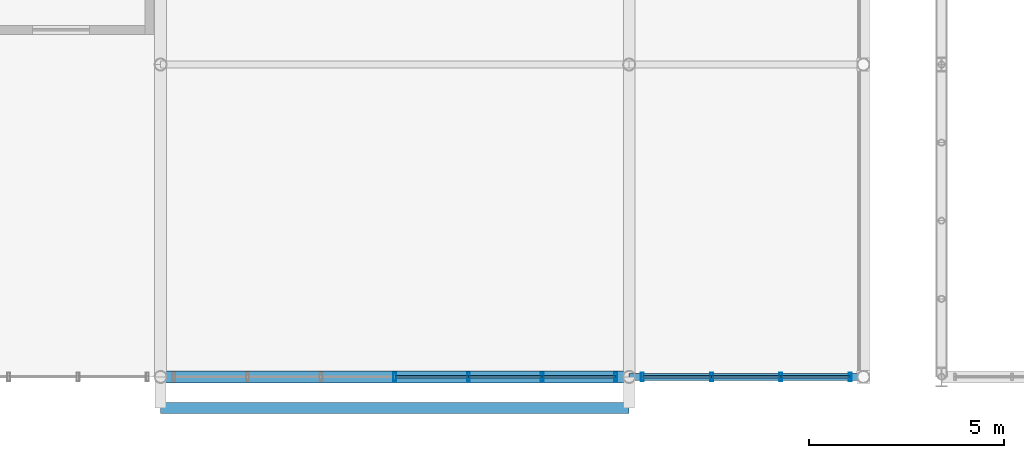
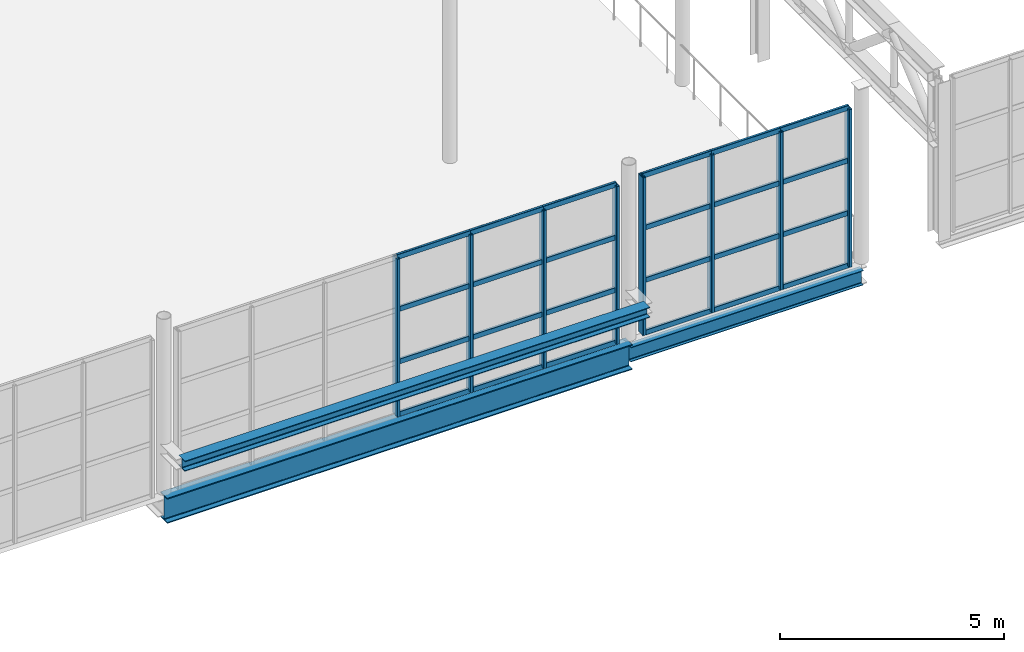
# One storey, part 35 of 143: 32 members, 3 beams, 2 elements without a shape of their own.
"""IFC4 building model written with IfcOpenShell, lengths in metres."""

from ifc_helpers import new_model, si_unit, derived_unit, direction, frame, origin, origin_2d, place, context, subcontext, project, spatial, hollow_rectangle, i_section, extrude, material, material_profile, profile_set, type_object, element, aggregate, save


model = new_model("IFC4")

# Units and contexts
model_context = context("Model", 3, precision=1e-05, world=origin(), true_north=direction((0.0, 1.0)))
body_context = subcontext(model_context, "Body", "Model", "MODEL_VIEW")
ifc_project = project(units=[si_unit("LENGTHUNIT", "METRE"), si_unit("AREAUNIT", "SQUARE_METRE"), si_unit("VOLUMEUNIT", "CUBIC_METRE"), si_unit("PLANEANGLEUNIT", "RADIAN"), si_unit("MASSUNIT", "GRAM", prefix="KILO"), derived_unit("THERMALTRANSMITTANCEUNIT", [(si_unit("POWERUNIT", "WATT"), 1), (si_unit("LENGTHUNIT", "METRE"), -2), (si_unit("THERMODYNAMICTEMPERATUREUNIT", "KELVIN"), -1)])], contexts=[model_context])

# Site, building, storey
site_placement = place(None, origin())
site = spatial("IfcSite", under=ifc_project, at=site_placement, CompositionType="ELEMENT")
building_placement = place(site_placement, origin())
building = spatial("IfcBuilding", under=site, at=building_placement, Name="Keldorne Ridge Multi-Sports Centre", CompositionType="ELEMENT")
storey_placement = place(building_placement, frame((0.0, 0.0, 4.800048828125)))
storey = spatial("IfcBuildingStorey", under=building, at=storey_placement, Name="L01", CompositionType="ELEMENT", Elevation=4.800048828125)

# Beams
ifc_material_1 = material(Name="Steel S355", Category="steel")
ifc_material_profile_1 = material_profile(ifc_material_1, i_section(OverallWidth=0.179931640625, OverallDepth=0.39990234375, WebThickness=0.008544921875, FlangeThickness=0.013427734375, FilletRadius=0.02099609375, at=origin_2d()), Name="IPE 400")
ifc_profile_set_1 = profile_set([ifc_material_profile_1], Name="Steel S355")
beam_type_1 = type_object("IfcBeamType", Name="BM-B-04", PredefinedType="BEAM", material=ifc_profile_set_1)
beam_1_placement = place(storey_placement, frame((96.0, 6.0, -0.420166015625), z_axis=(1.0, 0.0, 0.0), x_axis=(0.0, 1.0, 0.0)))
element("IfcBeam", 1, at=beam_1_placement, inside=storey, type_object=beam_type_1, Name="L01 east gallery beam 1", PredefinedType="BEAM", context=body_context, shape_type="SweptSolid", body=[
    extrude(i_section(OverallWidth=0.179931640625, OverallDepth=0.39990234375, WebThickness=0.008544921875, FlangeThickness=0.013427734375, FilletRadius=0.02099609375, at=origin_2d()), origin(), (0.0, 0.0, 1.0), 6.0),
])
ifc_material_profile_2 = material_profile(ifc_material_1, i_section(OverallWidth=0.280029296875, OverallDepth=0.280029296875, WebThickness=0.010498046875, FlangeThickness=0.01806640625, FilletRadius=0.02392578125, at=origin_2d()), Name="HEB 280")
ifc_profile_set_2 = profile_set([ifc_material_profile_2], Name="Steel S355")
beam_type_2 = type_object("IfcBeamType", Name="BM-B-20", PredefinedType="BEAM", material=ifc_profile_set_2)
beam_2_placement = place(storey_placement, frame((84.0, 5.199951171875, 1.25), z_axis=(1.0, 0.0, 0.0), x_axis=(0.0, 1.0, 0.0)))
element("IfcBeam", 2, at=beam_2_placement, inside=storey, type_object=beam_type_2, Name="Entrance canopy header beam S", PredefinedType="BEAM", context=body_context, shape_type="SweptSolid", body=[
    extrude(i_section(OverallWidth=0.280029296875, OverallDepth=0.280029296875, WebThickness=0.010498046875, FlangeThickness=0.01806640625, FilletRadius=0.02392578125, at=origin_2d()), origin(), (0.0, 0.0, 1.0), 12.0),
])
ifc_material_profile_3 = material_profile(ifc_material_1, i_section(OverallWidth=0.300048828125, OverallDepth=0.68994140625, WebThickness=0.014404296875, FlangeThickness=0.027099609375, FilletRadius=0.027099609375, at=origin_2d()), Name="HEA 700")
ifc_profile_set_3 = profile_set([ifc_material_profile_3], Name="Steel S355")
beam_type_3 = type_object("IfcBeamType", Name="BM-B-27", PredefinedType="BEAM", material=ifc_profile_set_3)
beam_3_placement = place(storey_placement, frame((84.0, 6.0, -0.445068359375), z_axis=(1.0, 0.0, 0.0), x_axis=(0.0, 1.0, 0.0)))
element("IfcBeam", 3, at=beam_3_placement, inside=storey, type_object=beam_type_3, Name="L01 bridge cross beam 1", PredefinedType="BEAM", context=body_context, shape_type="SweptSolid", body=[
    extrude(i_section(OverallWidth=0.300048828125, OverallDepth=0.68994140625, WebThickness=0.014404296875, FlangeThickness=0.027099609375, FilletRadius=0.027099609375, at=origin_2d()), origin(), (0.0, 0.0, 1.0), 12.0),
])

# Curtain wall, members
ifc_material_2 = material(Name="Anodized aluminium", Category="aluminium")
curtain_wall_type_1 = type_object("IfcCurtainWallType", Name="CW-CW-03", PredefinedType="NOTDEFINED", material=ifc_material_2)
curtain_wall_1_placement = place(storey_placement, origin())
curtain_wall_1 = element("IfcCurtainWall", 4, at=curtain_wall_1_placement, inside=storey, type_object=curtain_wall_type_1, Name="Public Passage S upper portal glazing 075", PredefinedType="NOTDEFINED")
ifc_material_profile_4 = material_profile(ifc_material_2, hollow_rectangle(XDim=0.074951171875, YDim=0.219970703125, WallThickness=0.0048828125, InnerFilletRadius=0.0048828125, OuterFilletRadius=0.010009765625, at=origin_2d()), Name="ALU MULLION 220x75x5")
ifc_profile_set_4 = profile_set([ifc_material_profile_4], Name="Anodized aluminium")
member_type_1 = type_object("IfcMemberType", Name="MEM-ML-02", PredefinedType="MULLION", material=ifc_profile_set_4)
member_1_placement = place(storey_placement, frame((90.0, 6.0, 0.0), z_axis=(0.0, 0.0, 1.0), x_axis=(1.0, 0.0, 0.0)))
member_1 = element("IfcMember", 5, at=member_1_placement, type_object=member_type_1, Name="CW-075 vertical mullion 4", PredefinedType="MULLION", context=body_context, shape_type="SweptSolid", body=[
    extrude(hollow_rectangle(XDim=0.074951171875, YDim=0.219970703125, WallThickness=0.0048828125, InnerFilletRadius=0.0048828125, OuterFilletRadius=0.010009765625, at=origin_2d()), origin(), (0.0, 0.0, 1.0), 4.300048828125),
])
member_2_placement = place(storey_placement, frame((91.88671875, 6.0, 0.0), z_axis=(0.0, 0.0, 1.0), x_axis=(1.0, 0.0, 0.0)))
member_2 = element("IfcMember", 6, at=member_2_placement, type_object=member_type_1, Name="CW-075 vertical mullion 5", PredefinedType="MULLION", context=body_context, shape_type="SweptSolid", body=[
    extrude(hollow_rectangle(XDim=0.074951171875, YDim=0.219970703125, WallThickness=0.0048828125, InnerFilletRadius=0.0048828125, OuterFilletRadius=0.010009765625, at=origin_2d()), origin(), (0.0, 0.0, 1.0), 4.300048828125),
])
member_3_placement = place(storey_placement, frame((93.773193359375, 6.0, 0.0), z_axis=(0.0, 0.0, 1.0), x_axis=(1.0, 0.0, 0.0)))
member_3 = element("IfcMember", 7, at=member_3_placement, type_object=member_type_1, Name="CW-075 vertical mullion 6", PredefinedType="MULLION", context=body_context, shape_type="SweptSolid", body=[
    extrude(hollow_rectangle(XDim=0.074951171875, YDim=0.219970703125, WallThickness=0.0048828125, InnerFilletRadius=0.0048828125, OuterFilletRadius=0.010009765625, at=origin_2d()), origin(), (0.0, 0.0, 1.0), 4.300048828125),
])
member_4_placement = place(storey_placement, frame((95.659912109375, 6.0, 0.0), z_axis=(0.0, 0.0, 1.0), x_axis=(1.0, 0.0, 0.0)))
member_4 = element("IfcMember", 8, at=member_4_placement, type_object=member_type_1, Name="CW-075 vertical mullion 7", PredefinedType="MULLION", context=body_context, shape_type="SweptSolid", body=[
    extrude(hollow_rectangle(XDim=0.074951171875, YDim=0.219970703125, WallThickness=0.0048828125, InnerFilletRadius=0.0048828125, OuterFilletRadius=0.010009765625, at=origin_2d()), origin(), (0.0, 0.0, 1.0), 4.300048828125),
])

curtain_wall_type_2 = type_object("IfcCurtainWallType", Name="CW-CW-05", PredefinedType="NOTDEFINED", material=ifc_material_2)
curtain_wall_2_placement = place(storey_placement, origin())
curtain_wall_2 = element("IfcCurtainWall", 9, at=curtain_wall_2_placement, inside=storey, type_object=curtain_wall_type_2, Name="Public Passage S upper glazing 077", PredefinedType="NOTDEFINED")
member_5_placement = place(storey_placement, frame((96.340087890625, 6.0, 0.0), z_axis=(0.0, 0.0, 1.0), x_axis=(1.0, 0.0, 0.0)))
member_5 = element("IfcMember", 10, at=member_5_placement, type_object=member_type_1, Name="CW-077 vertical mullion 1", PredefinedType="MULLION", context=body_context, shape_type="SweptSolid", body=[
    extrude(hollow_rectangle(XDim=0.074951171875, YDim=0.219970703125, WallThickness=0.0048828125, InnerFilletRadius=0.0048828125, OuterFilletRadius=0.010009765625, at=origin_2d()), origin(), (0.0, 0.0, 1.0), 4.300048828125),
])
member_6_placement = place(storey_placement, frame((98.11328125, 6.0, 0.0), z_axis=(0.0, 0.0, 1.0), x_axis=(1.0, 0.0, 0.0)))
member_6 = element("IfcMember", 11, at=member_6_placement, type_object=member_type_1, Name="CW-077 vertical mullion 2", PredefinedType="MULLION", context=body_context, shape_type="SweptSolid", body=[
    extrude(hollow_rectangle(XDim=0.074951171875, YDim=0.219970703125, WallThickness=0.0048828125, InnerFilletRadius=0.0048828125, OuterFilletRadius=0.010009765625, at=origin_2d()), origin(), (0.0, 0.0, 1.0), 4.300048828125),
])
member_7_placement = place(storey_placement, frame((99.88671875, 6.0, 0.0), z_axis=(0.0, 0.0, 1.0), x_axis=(1.0, 0.0, 0.0)))
member_7 = element("IfcMember", 12, at=member_7_placement, type_object=member_type_1, Name="CW-077 vertical mullion 3", PredefinedType="MULLION", context=body_context, shape_type="SweptSolid", body=[
    extrude(hollow_rectangle(XDim=0.074951171875, YDim=0.219970703125, WallThickness=0.0048828125, InnerFilletRadius=0.0048828125, OuterFilletRadius=0.010009765625, at=origin_2d()), origin(), (0.0, 0.0, 1.0), 4.300048828125),
])
member_8_placement = place(storey_placement, frame((101.659912109375, 6.0, 0.0), z_axis=(0.0, 0.0, 1.0), x_axis=(1.0, 0.0, 0.0)))
member_8 = element("IfcMember", 13, at=member_8_placement, type_object=member_type_1, Name="CW-077 vertical mullion 4", PredefinedType="MULLION", context=body_context, shape_type="SweptSolid", body=[
    extrude(hollow_rectangle(XDim=0.074951171875, YDim=0.219970703125, WallThickness=0.0048828125, InnerFilletRadius=0.0048828125, OuterFilletRadius=0.010009765625, at=origin_2d()), origin(), (0.0, 0.0, 1.0), 4.300048828125),
])

# Member
ifc_material_profile_5 = material_profile(ifc_material_2, hollow_rectangle(XDim=0.06494140625, YDim=0.139892578125, WallThickness=0.00439453125, InnerFilletRadius=0.00439453125, OuterFilletRadius=0.009033203125, at=origin_2d()), Name="ALU TRANSOM 140x65x4.5")
ifc_profile_set_5 = profile_set([ifc_material_profile_5], Name="Anodized aluminium")
member_type_2 = type_object("IfcMemberType", Name="MEM-TR-01", PredefinedType="USERDEFINED", material=ifc_profile_set_5)
member_9_placement = place(storey_placement, frame((90.0, 6.0, 0.0), z_axis=(1.0, 0.0, 0.0), x_axis=(0.0, 1.0, 0.0)))
member_9 = element("IfcMember", 14, at=member_9_placement, type_object=member_type_2, Name="CW-075 transom 4.1", ObjectType="TRANSOM", PredefinedType="USERDEFINED", context=body_context, shape_type="SweptSolid", body=[
    extrude(hollow_rectangle(XDim=0.06494140625, YDim=0.139892578125, WallThickness=0.00439453125, InnerFilletRadius=0.00439453125, OuterFilletRadius=0.009033203125, at=origin_2d()), origin(), (0.0, 0.0, 1.0), 1.88671875),
])

member_10_placement = place(storey_placement, frame((90.0, 6.0, 1.433349609375), z_axis=(1.0, 0.0, 0.0), x_axis=(0.0, 1.0, 0.0)))
member_10 = element("IfcMember", 15, at=member_10_placement, type_object=member_type_2, Name="CW-075 transom 4.2", ObjectType="TRANSOM", PredefinedType="USERDEFINED", context=body_context, shape_type="SweptSolid", body=[
    extrude(hollow_rectangle(XDim=0.06494140625, YDim=0.139892578125, WallThickness=0.00439453125, InnerFilletRadius=0.00439453125, OuterFilletRadius=0.009033203125, at=origin_2d()), origin(), (0.0, 0.0, 1.0), 1.88671875),
])

member_11_placement = place(storey_placement, frame((90.0, 6.0, 2.86669921875), z_axis=(1.0, 0.0, 0.0), x_axis=(0.0, 1.0, 0.0)))
member_11 = element("IfcMember", 16, at=member_11_placement, type_object=member_type_2, Name="CW-075 transom 4.3", ObjectType="TRANSOM", PredefinedType="USERDEFINED", context=body_context, shape_type="SweptSolid", body=[
    extrude(hollow_rectangle(XDim=0.06494140625, YDim=0.139892578125, WallThickness=0.00439453125, InnerFilletRadius=0.00439453125, OuterFilletRadius=0.009033203125, at=origin_2d()), origin(), (0.0, 0.0, 1.0), 1.88671875),
])

member_12_placement = place(storey_placement, frame((90.0, 6.0, 4.300048828125), z_axis=(1.0, 0.0, 0.0), x_axis=(0.0, 1.0, 0.0)))
member_12 = element("IfcMember", 17, at=member_12_placement, type_object=member_type_2, Name="CW-075 transom 4.4", ObjectType="TRANSOM", PredefinedType="USERDEFINED", context=body_context, shape_type="SweptSolid", body=[
    extrude(hollow_rectangle(XDim=0.06494140625, YDim=0.139892578125, WallThickness=0.00439453125, InnerFilletRadius=0.00439453125, OuterFilletRadius=0.009033203125, at=origin_2d()), origin(), (0.0, 0.0, 1.0), 1.88671875),
])

member_13_placement = place(storey_placement, frame((91.88671875, 6.0, 0.0), z_axis=(1.0, 0.0, 0.0), x_axis=(0.0, 1.0, 0.0)))
member_13 = element("IfcMember", 18, at=member_13_placement, type_object=member_type_2, Name="CW-075 transom 5.1", ObjectType="TRANSOM", PredefinedType="USERDEFINED", context=body_context, shape_type="SweptSolid", body=[
    extrude(hollow_rectangle(XDim=0.06494140625, YDim=0.139892578125, WallThickness=0.00439453125, InnerFilletRadius=0.00439453125, OuterFilletRadius=0.009033203125, at=origin_2d()), origin(), (0.0, 0.0, 1.0), 1.886474609375),
])

member_14_placement = place(storey_placement, frame((91.88671875, 6.0, 1.433349609375), z_axis=(1.0, 0.0, 0.0), x_axis=(0.0, 1.0, 0.0)))
member_14 = element("IfcMember", 19, at=member_14_placement, type_object=member_type_2, Name="CW-075 transom 5.2", ObjectType="TRANSOM", PredefinedType="USERDEFINED", context=body_context, shape_type="SweptSolid", body=[
    extrude(hollow_rectangle(XDim=0.06494140625, YDim=0.139892578125, WallThickness=0.00439453125, InnerFilletRadius=0.00439453125, OuterFilletRadius=0.009033203125, at=origin_2d()), origin(), (0.0, 0.0, 1.0), 1.886474609375),
])

member_15_placement = place(storey_placement, frame((91.88671875, 6.0, 2.86669921875), z_axis=(1.0, 0.0, 0.0), x_axis=(0.0, 1.0, 0.0)))
member_15 = element("IfcMember", 20, at=member_15_placement, type_object=member_type_2, Name="CW-075 transom 5.3", ObjectType="TRANSOM", PredefinedType="USERDEFINED", context=body_context, shape_type="SweptSolid", body=[
    extrude(hollow_rectangle(XDim=0.06494140625, YDim=0.139892578125, WallThickness=0.00439453125, InnerFilletRadius=0.00439453125, OuterFilletRadius=0.009033203125, at=origin_2d()), origin(), (0.0, 0.0, 1.0), 1.886474609375),
])

member_16_placement = place(storey_placement, frame((91.88671875, 6.0, 4.300048828125), z_axis=(1.0, 0.0, 0.0), x_axis=(0.0, 1.0, 0.0)))
member_16 = element("IfcMember", 21, at=member_16_placement, type_object=member_type_2, Name="CW-075 transom 5.4", ObjectType="TRANSOM", PredefinedType="USERDEFINED", context=body_context, shape_type="SweptSolid", body=[
    extrude(hollow_rectangle(XDim=0.06494140625, YDim=0.139892578125, WallThickness=0.00439453125, InnerFilletRadius=0.00439453125, OuterFilletRadius=0.009033203125, at=origin_2d()), origin(), (0.0, 0.0, 1.0), 1.886474609375),
])

member_17_placement = place(storey_placement, frame((93.773193359375, 6.0, 0.0), z_axis=(1.0, 0.0, 0.0), x_axis=(0.0, 1.0, 0.0)))
member_17 = element("IfcMember", 22, at=member_17_placement, type_object=member_type_2, Name="CW-075 transom 6.1", ObjectType="TRANSOM", PredefinedType="USERDEFINED", context=body_context, shape_type="SweptSolid", body=[
    extrude(hollow_rectangle(XDim=0.06494140625, YDim=0.139892578125, WallThickness=0.00439453125, InnerFilletRadius=0.00439453125, OuterFilletRadius=0.009033203125, at=origin_2d()), origin(), (0.0, 0.0, 1.0), 1.88671875),
])

member_18_placement = place(storey_placement, frame((93.773193359375, 6.0, 1.433349609375), z_axis=(1.0, 0.0, 0.0), x_axis=(0.0, 1.0, 0.0)))
member_18 = element("IfcMember", 23, at=member_18_placement, type_object=member_type_2, Name="CW-075 transom 6.2", ObjectType="TRANSOM", PredefinedType="USERDEFINED", context=body_context, shape_type="SweptSolid", body=[
    extrude(hollow_rectangle(XDim=0.06494140625, YDim=0.139892578125, WallThickness=0.00439453125, InnerFilletRadius=0.00439453125, OuterFilletRadius=0.009033203125, at=origin_2d()), origin(), (0.0, 0.0, 1.0), 1.88671875),
])

member_19_placement = place(storey_placement, frame((93.773193359375, 6.0, 2.86669921875), z_axis=(1.0, 0.0, 0.0), x_axis=(0.0, 1.0, 0.0)))
member_19 = element("IfcMember", 24, at=member_19_placement, type_object=member_type_2, Name="CW-075 transom 6.3", ObjectType="TRANSOM", PredefinedType="USERDEFINED", context=body_context, shape_type="SweptSolid", body=[
    extrude(hollow_rectangle(XDim=0.06494140625, YDim=0.139892578125, WallThickness=0.00439453125, InnerFilletRadius=0.00439453125, OuterFilletRadius=0.009033203125, at=origin_2d()), origin(), (0.0, 0.0, 1.0), 1.88671875),
])

member_20_placement = place(storey_placement, frame((93.773193359375, 6.0, 4.300048828125), z_axis=(1.0, 0.0, 0.0), x_axis=(0.0, 1.0, 0.0)))
member_20 = element("IfcMember", 25, at=member_20_placement, type_object=member_type_2, Name="CW-075 transom 6.4", ObjectType="TRANSOM", PredefinedType="USERDEFINED", context=body_context, shape_type="SweptSolid", body=[
    extrude(hollow_rectangle(XDim=0.06494140625, YDim=0.139892578125, WallThickness=0.00439453125, InnerFilletRadius=0.00439453125, OuterFilletRadius=0.009033203125, at=origin_2d()), origin(), (0.0, 0.0, 1.0), 1.88671875),
])

aggregate(curtain_wall_1, [member_1, member_2, member_3, member_4, member_9, member_10, member_11, member_12, member_13, member_14, member_15, member_16, member_17, member_18, member_19, member_20])

member_21_placement = place(storey_placement, frame((96.340087890625, 6.0, 0.0), z_axis=(1.0, 0.0, 0.0), x_axis=(0.0, 1.0, 0.0)))
member_21 = element("IfcMember", 26, at=member_21_placement, type_object=member_type_2, Name="CW-077 transom 1.1", ObjectType="TRANSOM", PredefinedType="USERDEFINED", context=body_context, shape_type="SweptSolid", body=[
    extrude(hollow_rectangle(XDim=0.06494140625, YDim=0.139892578125, WallThickness=0.00439453125, InnerFilletRadius=0.00439453125, OuterFilletRadius=0.009033203125, at=origin_2d()), origin(), (0.0, 0.0, 1.0), 1.773193359375),
])

member_22_placement = place(storey_placement, frame((96.340087890625, 6.0, 1.433349609375), z_axis=(1.0, 0.0, 0.0), x_axis=(0.0, 1.0, 0.0)))
member_22 = element("IfcMember", 27, at=member_22_placement, type_object=member_type_2, Name="CW-077 transom 1.2", ObjectType="TRANSOM", PredefinedType="USERDEFINED", context=body_context, shape_type="SweptSolid", body=[
    extrude(hollow_rectangle(XDim=0.06494140625, YDim=0.139892578125, WallThickness=0.00439453125, InnerFilletRadius=0.00439453125, OuterFilletRadius=0.009033203125, at=origin_2d()), origin(), (0.0, 0.0, 1.0), 1.773193359375),
])

member_23_placement = place(storey_placement, frame((96.340087890625, 6.0, 2.86669921875), z_axis=(1.0, 0.0, 0.0), x_axis=(0.0, 1.0, 0.0)))
member_23 = element("IfcMember", 28, at=member_23_placement, type_object=member_type_2, Name="CW-077 transom 1.3", ObjectType="TRANSOM", PredefinedType="USERDEFINED", context=body_context, shape_type="SweptSolid", body=[
    extrude(hollow_rectangle(XDim=0.06494140625, YDim=0.139892578125, WallThickness=0.00439453125, InnerFilletRadius=0.00439453125, OuterFilletRadius=0.009033203125, at=origin_2d()), origin(), (0.0, 0.0, 1.0), 1.773193359375),
])

member_24_placement = place(storey_placement, frame((96.340087890625, 6.0, 4.300048828125), z_axis=(1.0, 0.0, 0.0), x_axis=(0.0, 1.0, 0.0)))
member_24 = element("IfcMember", 29, at=member_24_placement, type_object=member_type_2, Name="CW-077 transom 1.4", ObjectType="TRANSOM", PredefinedType="USERDEFINED", context=body_context, shape_type="SweptSolid", body=[
    extrude(hollow_rectangle(XDim=0.06494140625, YDim=0.139892578125, WallThickness=0.00439453125, InnerFilletRadius=0.00439453125, OuterFilletRadius=0.009033203125, at=origin_2d()), origin(), (0.0, 0.0, 1.0), 1.773193359375),
])

member_25_placement = place(storey_placement, frame((98.11328125, 6.0, 0.0), z_axis=(1.0, 0.0, 0.0), x_axis=(0.0, 1.0, 0.0)))
member_25 = element("IfcMember", 30, at=member_25_placement, type_object=member_type_2, Name="CW-077 transom 2.1", ObjectType="TRANSOM", PredefinedType="USERDEFINED", context=body_context, shape_type="SweptSolid", body=[
    extrude(hollow_rectangle(XDim=0.06494140625, YDim=0.139892578125, WallThickness=0.00439453125, InnerFilletRadius=0.00439453125, OuterFilletRadius=0.009033203125, at=origin_2d()), origin(), (0.0, 0.0, 1.0), 1.7734375),
])

member_26_placement = place(storey_placement, frame((98.11328125, 6.0, 1.433349609375), z_axis=(1.0, 0.0, 0.0), x_axis=(0.0, 1.0, 0.0)))
member_26 = element("IfcMember", 31, at=member_26_placement, type_object=member_type_2, Name="CW-077 transom 2.2", ObjectType="TRANSOM", PredefinedType="USERDEFINED", context=body_context, shape_type="SweptSolid", body=[
    extrude(hollow_rectangle(XDim=0.06494140625, YDim=0.139892578125, WallThickness=0.00439453125, InnerFilletRadius=0.00439453125, OuterFilletRadius=0.009033203125, at=origin_2d()), origin(), (0.0, 0.0, 1.0), 1.7734375),
])

member_27_placement = place(storey_placement, frame((98.11328125, 6.0, 2.86669921875), z_axis=(1.0, 0.0, 0.0), x_axis=(0.0, 1.0, 0.0)))
member_27 = element("IfcMember", 32, at=member_27_placement, type_object=member_type_2, Name="CW-077 transom 2.3", ObjectType="TRANSOM", PredefinedType="USERDEFINED", context=body_context, shape_type="SweptSolid", body=[
    extrude(hollow_rectangle(XDim=0.06494140625, YDim=0.139892578125, WallThickness=0.00439453125, InnerFilletRadius=0.00439453125, OuterFilletRadius=0.009033203125, at=origin_2d()), origin(), (0.0, 0.0, 1.0), 1.7734375),
])

member_28_placement = place(storey_placement, frame((98.11328125, 6.0, 4.300048828125), z_axis=(1.0, 0.0, 0.0), x_axis=(0.0, 1.0, 0.0)))
member_28 = element("IfcMember", 33, at=member_28_placement, type_object=member_type_2, Name="CW-077 transom 2.4", ObjectType="TRANSOM", PredefinedType="USERDEFINED", context=body_context, shape_type="SweptSolid", body=[
    extrude(hollow_rectangle(XDim=0.06494140625, YDim=0.139892578125, WallThickness=0.00439453125, InnerFilletRadius=0.00439453125, OuterFilletRadius=0.009033203125, at=origin_2d()), origin(), (0.0, 0.0, 1.0), 1.7734375),
])

member_29_placement = place(storey_placement, frame((99.88671875, 6.0, 0.0), z_axis=(1.0, 0.0, 0.0), x_axis=(0.0, 1.0, 0.0)))
member_29 = element("IfcMember", 34, at=member_29_placement, type_object=member_type_2, Name="CW-077 transom 3.1", ObjectType="TRANSOM", PredefinedType="USERDEFINED", context=body_context, shape_type="SweptSolid", body=[
    extrude(hollow_rectangle(XDim=0.06494140625, YDim=0.139892578125, WallThickness=0.00439453125, InnerFilletRadius=0.00439453125, OuterFilletRadius=0.009033203125, at=origin_2d()), origin(), (0.0, 0.0, 1.0), 1.773193359375),
])

member_30_placement = place(storey_placement, frame((99.88671875, 6.0, 1.433349609375), z_axis=(1.0, 0.0, 0.0), x_axis=(0.0, 1.0, 0.0)))
member_30 = element("IfcMember", 35, at=member_30_placement, type_object=member_type_2, Name="CW-077 transom 3.2", ObjectType="TRANSOM", PredefinedType="USERDEFINED", context=body_context, shape_type="SweptSolid", body=[
    extrude(hollow_rectangle(XDim=0.06494140625, YDim=0.139892578125, WallThickness=0.00439453125, InnerFilletRadius=0.00439453125, OuterFilletRadius=0.009033203125, at=origin_2d()), origin(), (0.0, 0.0, 1.0), 1.773193359375),
])

member_31_placement = place(storey_placement, frame((99.88671875, 6.0, 2.86669921875), z_axis=(1.0, 0.0, 0.0), x_axis=(0.0, 1.0, 0.0)))
member_31 = element("IfcMember", 36, at=member_31_placement, type_object=member_type_2, Name="CW-077 transom 3.3", ObjectType="TRANSOM", PredefinedType="USERDEFINED", context=body_context, shape_type="SweptSolid", body=[
    extrude(hollow_rectangle(XDim=0.06494140625, YDim=0.139892578125, WallThickness=0.00439453125, InnerFilletRadius=0.00439453125, OuterFilletRadius=0.009033203125, at=origin_2d()), origin(), (0.0, 0.0, 1.0), 1.773193359375),
])

member_32_placement = place(storey_placement, frame((99.88671875, 6.0, 4.300048828125), z_axis=(1.0, 0.0, 0.0), x_axis=(0.0, 1.0, 0.0)))
member_32 = element("IfcMember", 37, at=member_32_placement, type_object=member_type_2, Name="CW-077 transom 3.4", ObjectType="TRANSOM", PredefinedType="USERDEFINED", context=body_context, shape_type="SweptSolid", body=[
    extrude(hollow_rectangle(XDim=0.06494140625, YDim=0.139892578125, WallThickness=0.00439453125, InnerFilletRadius=0.00439453125, OuterFilletRadius=0.009033203125, at=origin_2d()), origin(), (0.0, 0.0, 1.0), 1.773193359375),
])

aggregate(curtain_wall_2, [member_5, member_6, member_7, member_8, member_21, member_22, member_23, member_24, member_25, member_26, member_27, member_28, member_29, member_30, member_31, member_32])

save(model, "model.ifc")
